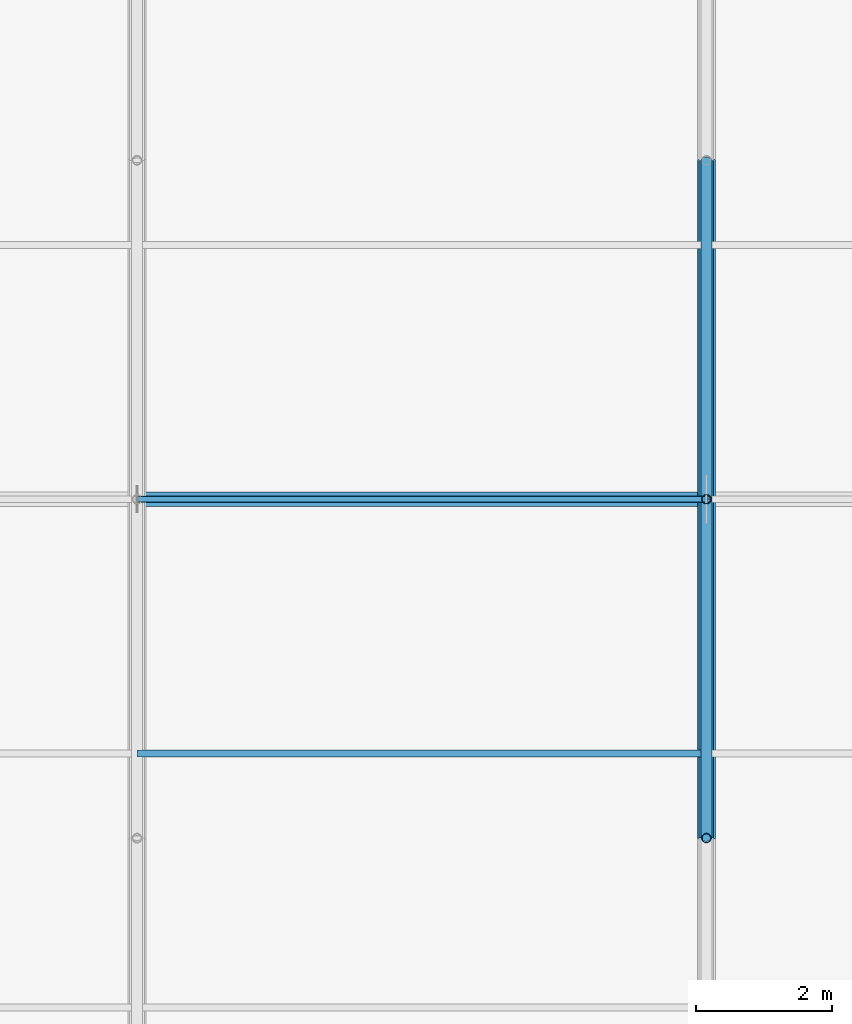
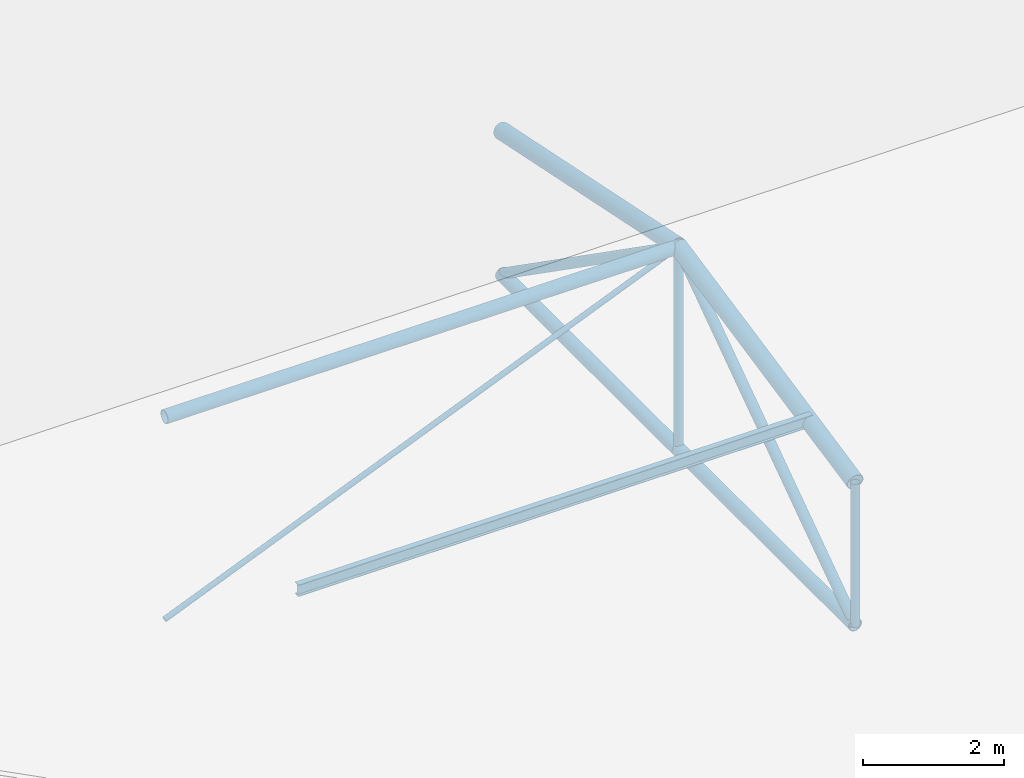
# One storey, part 26 of 194: 10 members, 1 beam.
"""IFC4 building model written with IfcOpenShell, lengths in metres."""

from ifc_helpers import new_model, si_unit, direction, frame, origin, origin_2d, place, context, subcontext, project, spatial, hollow_circle, i_section, extrude, material, material_profile, profile_set, type_object, element, save


model = new_model("IFC4")

# Units and contexts
model_context = context("Model", 3, precision=1e-05, world=origin(), true_north=direction((0.0, 1.0)))
body_context = subcontext(model_context, "Body", "Model", "MODEL_VIEW")
ifc_project = project(units=[si_unit("LENGTHUNIT", "METRE"), si_unit("AREAUNIT", "SQUARE_METRE"), si_unit("VOLUMEUNIT", "CUBIC_METRE"), si_unit("PLANEANGLEUNIT", "RADIAN"), si_unit("MASSUNIT", "GRAM", prefix="KILO")], contexts=[model_context])

# Site, building, storey
site_placement = place(None, origin())
site = spatial("IfcSite", under=ifc_project, at=site_placement, CompositionType="ELEMENT")
building_placement = place(site_placement, origin())
building = spatial("IfcBuilding", under=site, at=building_placement, Name="Kazenagashi Tramway Depot", CompositionType="ELEMENT")
storey_placement = place(building_placement, frame((0.0, 0.0, 23.7)))
storey = spatial("IfcBuildingStorey", under=building, at=storey_placement, Name="ROOF", CompositionType="ELEMENT", Elevation=23.7)

# Beam
ifc_material_1 = material(Name="Steel SN400B", Category="steel")
ifc_material_profile_1 = material_profile(ifc_material_1, i_section(OverallWidth=0.1, OverallDepth=0.2, WebThickness=0.0055, FlangeThickness=0.008, at=origin_2d()), Name="H-200x100x5.5x8")
ifc_profile_set_1 = profile_set([ifc_material_profile_1], Name="Steel SN400B")
beam_type = type_object("IfcBeamType", Name="PR-01", PredefinedType="USERDEFINED", material=ifc_profile_set_1)
beam_placement = place(storey_placement, frame((78.4, 81.25, -11.305), z_axis=(1.0, 0.0, 0.0), x_axis=(0.0, 1.0, 0.0)))
element("IfcBeam", 1, at=beam_placement, inside=storey, type_object=beam_type, Name="Beam PR-01 BM-2058", ObjectType="PURLIN", PredefinedType="USERDEFINED", context=body_context, shape_type="SweptSolid", body=[
    extrude(i_section(OverallWidth=0.1, OverallDepth=0.2, WebThickness=0.0055, FlangeThickness=0.008, at=origin_2d()), origin(), (0.0, 0.0, 1.0), 8.4),
])

# Members
ifc_material_2 = material(Name="Steel STK490", Category="steel")
ifc_material_profile_2 = material_profile(ifc_material_2, hollow_circle(Radius=0.1337, WallThickness=0.0093, at=origin_2d()), Name="CHS-267.4x9.3")
ifc_profile_set_2 = profile_set([ifc_material_profile_2], Name="Steel STK490")
member_type_1 = type_object("IfcMemberType", Name="TC-01", PredefinedType="CHORD", material=ifc_profile_set_2)
for number, where, z_axis, x_axis, name in (
    (2, (86.8, 80.0, -11.633), (0.0, 0.979317999984, 0.202327098797), (-1.0, 0.0, 0.0), "Tubular Space Frame TC-01 MEM-0312"),
    (3, (86.8, 85.0, -10.6), (0.0, 0.979317999984, -0.202327098797), (-1.0, 0.0, 0.0), "Tubular Space Frame TC-01 MEM-0315"),
):
    element("IfcMember", number, at=place(storey_placement, frame(where, z_axis=z_axis, x_axis=x_axis)), inside=storey, type_object=member_type_1, Name=name, PredefinedType="CHORD", context=body_context, shape_type="SweptSolid", body=[
        extrude(hollow_circle(Radius=0.1337, WallThickness=0.0093, at=origin_2d()), origin(), (0.0, 0.0, 1.0), 5.105594),
    ])
ifc_material_profile_3 = material_profile(ifc_material_2, hollow_circle(Radius=0.10815, WallThickness=0.0082, at=origin_2d()), Name="CHS-216.3x8.2")
ifc_profile_set_3 = profile_set([ifc_material_profile_3], Name="Steel STK490")
member_type_2 = type_object("IfcMemberType", Name="TC-02", PredefinedType="CHORD", material=ifc_profile_set_3)
member_1_placement = place(storey_placement, frame((78.4, 85.0, -10.6), z_axis=(1.0, 0.0, 0.0), x_axis=(0.0, 1.0, 0.0)))
element("IfcMember", 4, at=member_1_placement, inside=storey, type_object=member_type_2, Name="Tubular Space Frame TC-02 MEM-0272", PredefinedType="CHORD", context=body_context, shape_type="SweptSolid", body=[
    extrude(hollow_circle(Radius=0.10815, WallThickness=0.0082, at=origin_2d()), origin(), (0.0, 0.0, 1.0), 8.4),
])
for number, where, z_axis, x_axis, name in (
    (5, (86.8, 80.0, -14.1), (0.0, 1.0, 0.0), (-1.0, 0.0, 0.0), "Tubular Space Frame TC-02 MEM-0313"),
    (6, (86.8, 85.0, -14.1), (0.0, 1.0, 0.0), (-1.0, 0.0, 0.0), "Tubular Space Frame TC-02 MEM-0316"),
):
    element("IfcMember", number, at=place(storey_placement, frame(where, z_axis=z_axis, x_axis=x_axis)), inside=storey, type_object=member_type_2, Name=name, PredefinedType="CHORD", context=body_context, shape_type="SweptSolid", body=[
        extrude(hollow_circle(Radius=0.10815, WallThickness=0.0082, at=origin_2d()), origin(), (0.0, 0.0, 1.0), 5.0),
    ])
ifc_material_profile_4 = material_profile(ifc_material_2, hollow_circle(Radius=0.0826, WallThickness=0.0071, at=origin_2d()), Name="CHS-165.2x7.1")
ifc_profile_set_4 = profile_set([ifc_material_profile_4], Name="Steel STK490")
member_type_3 = type_object("IfcMemberType", Name="TS-01", PredefinedType="STRUT", material=ifc_profile_set_4)
for number, where, z_axis, x_axis, name in (
    (7, (86.8, 80.0, -14.1), (0.0, 0.819231920519, 0.573462344363), (-1.0, 0.0, 0.0), "Tubular Space Frame TS-01 MEM-0314"),
    (8, (86.8, 85.0, -10.6), (0.0, 0.819231920519, -0.573462344363), (-1.0, 0.0, 0.0), "Tubular Space Frame TS-01 MEM-0317"),
):
    element("IfcMember", number, at=place(storey_placement, frame(where, z_axis=z_axis, x_axis=x_axis)), inside=storey, type_object=member_type_3, Name=name, PredefinedType="STRUT", context=body_context, shape_type="SweptSolid", body=[
        extrude(hollow_circle(Radius=0.0826, WallThickness=0.0071, at=origin_2d()), origin(), (0.0, 0.0, 1.0), 6.103278),
    ])
ifc_material_profile_5 = material_profile(ifc_material_2, hollow_circle(Radius=0.0699, WallThickness=0.0066, at=origin_2d()), Name="CHS-139.8x6.6")
ifc_profile_set_5 = profile_set([ifc_material_profile_5], Name="Steel STK490")
member_type_4 = type_object("IfcMemberType", Name="TS-02", PredefinedType="STRUT", material=ifc_profile_set_5)
member_2_placement = place(storey_placement, frame((86.8, 80.0, -14.1), z_axis=(0.0, 0.0, 1.0), x_axis=(1.0, 0.0, 0.0)))
element("IfcMember", 9, at=member_2_placement, inside=storey, type_object=member_type_4, Name="Tubular Space Frame TS-02 MEM-0326", PredefinedType="STRUT", context=body_context, shape_type="SweptSolid", body=[
    extrude(hollow_circle(Radius=0.0699, WallThickness=0.0066, at=origin_2d()), origin(), (0.0, 0.0, 1.0), 2.467),
])
member_3_placement = place(storey_placement, frame((86.8, 85.0, -14.1), z_axis=(0.0, 0.0, 1.0), x_axis=(1.0, 0.0, 0.0)))
element("IfcMember", 10, at=member_3_placement, inside=storey, type_object=member_type_4, Name="Tubular Space Frame TS-02 MEM-0327", PredefinedType="STRUT", context=body_context, shape_type="SweptSolid", body=[
    extrude(hollow_circle(Radius=0.0699, WallThickness=0.0066, at=origin_2d()), origin(), (0.0, 0.0, 1.0), 3.5),
])
ifc_material_3 = material(Name="Steel STK400", Category="steel")
ifc_material_profile_6 = material_profile(ifc_material_3, hollow_circle(Radius=0.04455, WallThickness=0.0042, at=origin_2d()), Name="CHS-89.1x4.2")
ifc_profile_set_6 = profile_set([ifc_material_profile_6], Name="Steel STK400")
member_type_5 = type_object("IfcMemberType", Name="TS-04", PredefinedType="STRUT", material=ifc_profile_set_6)
member_4_placement = place(storey_placement, frame((78.4, 85.0, -14.1), z_axis=(0.923076923077, 0.0, 0.384615384615), x_axis=(0.0, 1.0, 0.0)))
element("IfcMember", 11, at=member_4_placement, inside=storey, type_object=member_type_5, Name="Tubular Space Frame TS-04 MEM-0273", PredefinedType="STRUT", context=body_context, shape_type="SweptSolid", body=[
    extrude(hollow_circle(Radius=0.04455, WallThickness=0.0042, at=origin_2d()), origin(), (0.0, 0.0, 1.0), 9.1),
])

save(model, "model.ifc")
